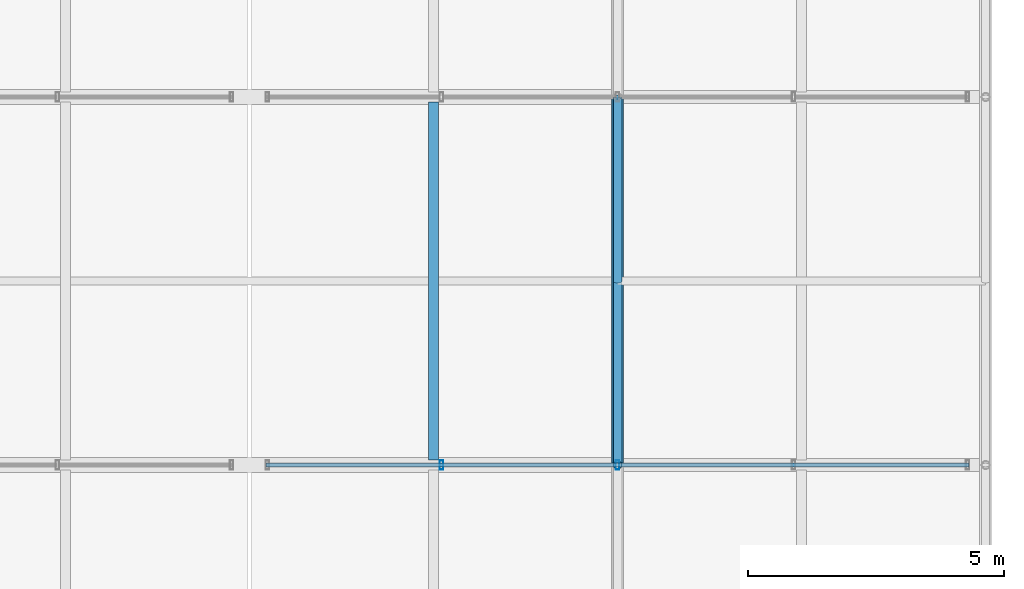
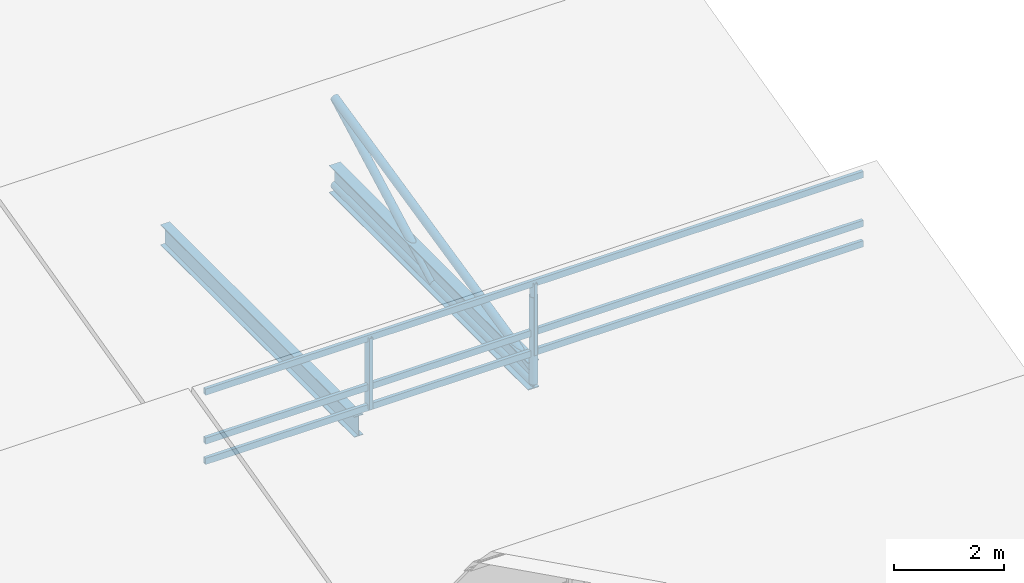
# One storey, part 73 of 144: 9 members, 2 beams, 1 element without a shape of its own.
"""IFC4 building model written with IfcOpenShell, lengths in metres."""

from ifc_helpers import new_model, si_unit, direction, frame, origin, origin_2d, place, context, subcontext, project, spatial, hollow_rectangle, hollow_circle, i_section, extrude, material, material_profile, profile_set, type_object, element, aggregate, save


model = new_model("IFC4")

# Units and contexts
model_context = context("Model", 3, precision=1e-05, world=origin(), true_north=direction((0.0, 1.0)))
body_context = subcontext(model_context, "Body", "Model", "MODEL_VIEW")
ifc_project = project(units=[si_unit("LENGTHUNIT", "METRE"), si_unit("AREAUNIT", "SQUARE_METRE"), si_unit("VOLUMEUNIT", "CUBIC_METRE"), si_unit("PLANEANGLEUNIT", "RADIAN"), si_unit("MASSUNIT", "GRAM", prefix="KILO")], contexts=[model_context])

# Site, building, storey
site_placement = place(None, origin())
site = spatial("IfcSite", under=ifc_project, at=site_placement, CompositionType="ELEMENT")
building_placement = place(site_placement, origin())
building = spatial("IfcBuilding", under=site, at=building_placement, Name="Yarey Park Central Fire Station", CompositionType="ELEMENT")
storey_placement = place(building_placement, frame((0.0, 0.0, 10.199951171875)))
storey = spatial("IfcBuildingStorey", under=building, at=storey_placement, Name="L03", CompositionType="ELEMENT", Elevation=10.199951171875)

# Curtain wall, members
ifc_material_1 = material(Name="Anodized Aluminium Frame", Category="aluminium")
curtain_wall_type = type_object("IfcCurtainWallType", Name="ENV_CW_SAW_18", PredefinedType="NOTDEFINED", material=ifc_material_1)
curtain_wall_placement = place(storey_placement, origin())
curtain_wall = element("IfcCurtainWall", 1, at=curtain_wall_placement, inside=storey, type_object=curtain_wall_type, Name="CW_L03_SAW_3_2", PredefinedType="NOTDEFINED")
ifc_material_profile_1 = material_profile(ifc_material_1, hollow_rectangle(XDim=0.070068359375, YDim=0.179931640625, WallThickness=0.00390625, at=origin_2d()), Name="ALU 180x70x4")
ifc_profile_set_1 = profile_set([ifc_material_profile_1], Name="Anodized Aluminium Frame")
member_type_1 = type_object("IfcMemberType", Name="ENV_CW_MULLION", PredefinedType="MULLION", material=ifc_profile_set_1)
member_1_placement = place(storey_placement, frame((158.39990234375, 64.800048828125, 0.0), z_axis=(0.0, 0.0, 1.0), x_axis=(1.0, 0.0, 0.0)))
member_1 = element("IfcMember", 2, at=member_1_placement, type_object=member_type_1, Name="CW_L03_SAW_3_2_MUL3", PredefinedType="MULLION", context=body_context, shape_type="SweptSolid", body=[
    extrude(hollow_rectangle(XDim=0.070068359375, YDim=0.179931640625, WallThickness=0.00390625, at=origin_2d()), origin(), (0.0, 0.0, 1.0), 1.580078125),
])
member_2_placement = place(storey_placement, frame((154.955078125, 64.800048828125, 0.0), z_axis=(0.0, 0.0, 1.0), x_axis=(1.0, 0.0, 0.0)))
member_2 = element("IfcMember", 3, at=member_2_placement, type_object=member_type_1, Name="CW_L03_SAW_3_2_MUL4", PredefinedType="MULLION", context=body_context, shape_type="SweptSolid", body=[
    extrude(hollow_rectangle(XDim=0.070068359375, YDim=0.179931640625, WallThickness=0.00390625, at=origin_2d()), origin(), (0.0, 0.0, 1.0), 1.580078125),
])
ifc_material_profile_2 = material_profile(ifc_material_1, hollow_rectangle(XDim=0.070068359375, YDim=0.139892578125, WallThickness=0.00390625, at=origin_2d()), Name="ALU 140x70x4")
ifc_profile_set_2 = profile_set([ifc_material_profile_2], Name="Anodized Aluminium Frame")
member_type_2 = type_object("IfcMemberType", Name="ENV_CW_TRANSOM", PredefinedType="USERDEFINED", material=ifc_profile_set_2)
member_3_placement = place(storey_placement, frame((165.27490234375, 64.800048828125, 0.025146484375), z_axis=(-1.0, 0.0, 0.0), x_axis=(0.0, -1.0, 0.0)))
member_3 = element("IfcMember", 4, at=member_3_placement, type_object=member_type_2, Name="CW_L03_SAW_3_2_TRN1", ObjectType="TRANSOM", PredefinedType="USERDEFINED", context=body_context, shape_type="SweptSolid", body=[
    extrude(hollow_rectangle(XDim=0.070068359375, YDim=0.139892578125, WallThickness=0.00390625, at=origin_2d()), origin(), (0.0, 0.0, 1.0), 13.75),
])
member_4_placement = place(storey_placement, frame((165.27490234375, 64.800048828125, 0.47412109375), z_axis=(-1.0, 0.0, 0.0), x_axis=(0.0, -1.0, 0.0)))
member_4 = element("IfcMember", 5, at=member_4_placement, type_object=member_type_2, Name="CW_L03_SAW_3_2_TRN2", ObjectType="TRANSOM", PredefinedType="USERDEFINED", context=body_context, shape_type="SweptSolid", body=[
    extrude(hollow_rectangle(XDim=0.070068359375, YDim=0.139892578125, WallThickness=0.00390625, at=origin_2d()), origin(), (0.0, 0.0, 1.0), 13.75),
])
member_5_placement = place(storey_placement, frame((165.27490234375, 64.800048828125, 1.554931640625), z_axis=(-1.0, 0.0, 0.0), x_axis=(0.0, -1.0, 0.0)))
member_5 = element("IfcMember", 6, at=member_5_placement, type_object=member_type_2, Name="CW_L03_SAW_3_2_TRN3", ObjectType="TRANSOM", PredefinedType="USERDEFINED", context=body_context, shape_type="SweptSolid", body=[
    extrude(hollow_rectangle(XDim=0.070068359375, YDim=0.139892578125, WallThickness=0.00390625, at=origin_2d()), origin(), (0.0, 0.0, 1.0), 13.75),
])
aggregate(curtain_wall, [member_1, member_2, member_3, member_4, member_5])

# Beam
ifc_material_2 = material(Name="Steel ASTM A992 Gr. 50", Category="steel")
ifc_material_profile_3 = material_profile(ifc_material_2, i_section(OverallWidth=0.22900390625, OverallDepth=0.612060546875, WebThickness=0.011962890625, FlangeThickness=0.01953125, at=origin_2d()), Name="W610x125")
ifc_profile_set_3 = profile_set([ifc_material_profile_3], Name="Steel ASTM A992 Gr. 50")
beam_type_1 = type_object("IfcBeamType", Name="STR_BM_W610", PredefinedType="BEAM", material=ifc_profile_set_3)
beam_1_placement = place(storey_placement, frame((158.39990234375, 64.800048828125, -0.48583984375), z_axis=(0.0, 1.0, 0.0), x_axis=(-1.0, 0.0, 0.0)))
element("IfcBeam", 7, at=beam_1_placement, inside=storey, type_object=beam_type_1, Name="BMY L03 X1584 Y648", PredefinedType="BEAM", context=body_context, shape_type="SweptSolid", body=[
    extrude(i_section(OverallWidth=0.22900390625, OverallDepth=0.612060546875, WebThickness=0.011962890625, FlangeThickness=0.01953125, at=origin_2d()), origin(), (0.0, 0.0, 1.0), 7.199951171875),
])

# Members
ifc_material_3 = material(Name="Steel ASTM A500 Gr. C", Category="steel")
ifc_material_profile_4 = material_profile(ifc_material_3, hollow_circle(Radius=0.084228515625, WallThickness=0.008056640625, at=origin_2d()), Name="CHS 168.3x8")
ifc_profile_set_4 = profile_set([ifc_material_profile_4], Name="Steel ASTM A500 Gr. C")
member_type_3 = type_object("IfcMemberType", Name="STR_CHORD_CHS168", PredefinedType="CHORD", material=ifc_profile_set_4)
member_6_placement = place(storey_placement, frame((158.39990234375, 64.800048828125, -0.64990234375), z_axis=(0.0, 1.0, 0.0), x_axis=(-1.0, 0.0, 0.0)))
element("IfcMember", 8, at=member_6_placement, inside=storey, type_object=member_type_3, Name="SAW_T3_B4_BC", PredefinedType="CHORD", context=body_context, shape_type="SweptSolid", body=[
    extrude(hollow_circle(Radius=0.084228515625, WallThickness=0.008056640625, at=origin_2d()), origin(), (0.0, 0.0, 1.0), 7.199951171875),
])
member_7_placement = place(storey_placement, frame((158.39990234375, 64.800048828125, -0.349853515625), z_axis=(0.0, 0.975464150349, 0.220158332533), x_axis=(-1.0, 0.0, 0.0)))
element("IfcMember", 9, at=member_7_placement, inside=storey, type_object=member_type_3, Name="SAW_T3_B4_TC", PredefinedType="CHORD", context=body_context, shape_type="SweptSolid", body=[
    extrude(hollow_circle(Radius=0.084228515625, WallThickness=0.008056640625, at=origin_2d()), origin(), (0.0, 0.0, 1.0), 7.381103515625),
])

# Beam
ifc_material_profile_5 = material_profile(ifc_material_2, i_section(OverallWidth=0.18994140625, OverallDepth=0.45703125, WebThickness=0.009033203125, FlangeThickness=0.014404296875, at=origin_2d()), Name="W460x74")
ifc_profile_set_5 = profile_set([ifc_material_profile_5], Name="Steel ASTM A992 Gr. 50")
beam_type_2 = type_object("IfcBeamType", Name="STR_JST_W460", PredefinedType="JOIST", material=ifc_profile_set_5)
beam_2_placement = place(storey_placement, frame((154.800048828125, 64.89501953125, -0.408447265625), z_axis=(0.0, 1.0, 0.0), x_axis=(-1.0, 0.0, 0.0)))
element("IfcBeam", 10, at=beam_2_placement, inside=storey, type_object=beam_type_2, Name="JST L03 X1548 Y648", PredefinedType="JOIST", context=body_context, shape_type="SweptSolid", body=[
    extrude(i_section(OverallWidth=0.18994140625, OverallDepth=0.45703125, WebThickness=0.009033203125, FlangeThickness=0.014404296875, at=origin_2d()), origin(), (0.0, 0.0, 1.0), 7.010009765625),
])

# Members
ifc_material_profile_6 = material_profile(ifc_material_3, hollow_circle(Radius=0.084228515625, WallThickness=0.008056640625, at=origin_2d()), Name="CHS 168.3x8")
ifc_profile_set_6 = profile_set([ifc_material_profile_6], Name="Steel ASTM A500 Gr. C")
member_type_4 = type_object("IfcMemberType", Name="STR_WEB_CHS168", PredefinedType="BRACE", material=ifc_profile_set_6)
member_8_placement = place(storey_placement, frame((158.39990234375, 64.800048828125, -0.64990234375), z_axis=(0.0, 0.0, 1.0), x_axis=(1.0, 0.0, 0.0)))
element("IfcMember", 11, at=member_8_placement, inside=storey, type_object=member_type_4, Name="SAW_T3_B3_VT", PredefinedType="BRACE", context=body_context, shape_type="SweptSolid", body=[
    extrude(hollow_circle(Radius=0.084228515625, WallThickness=0.008056640625, at=origin_2d()), origin(), (0.0, 0.0, 1.0), 1.925048828125),
])
member_9_placement = place(storey_placement, frame((158.39990234375, 68.39990234375, -0.64990234375), z_axis=(0.0, 0.881844210833, 0.471540865483), x_axis=(-1.0, 0.0, 0.0)))
element("IfcMember", 12, at=member_9_placement, inside=storey, type_object=member_type_4, Name="SAW_T3_B4_DG", PredefinedType="BRACE", context=body_context, shape_type="SweptSolid", body=[
    extrude(hollow_circle(Radius=0.084228515625, WallThickness=0.008056640625, at=origin_2d()), origin(), (0.0, 0.0, 1.0), 4.08251953125),
])

save(model, "model.ifc")
